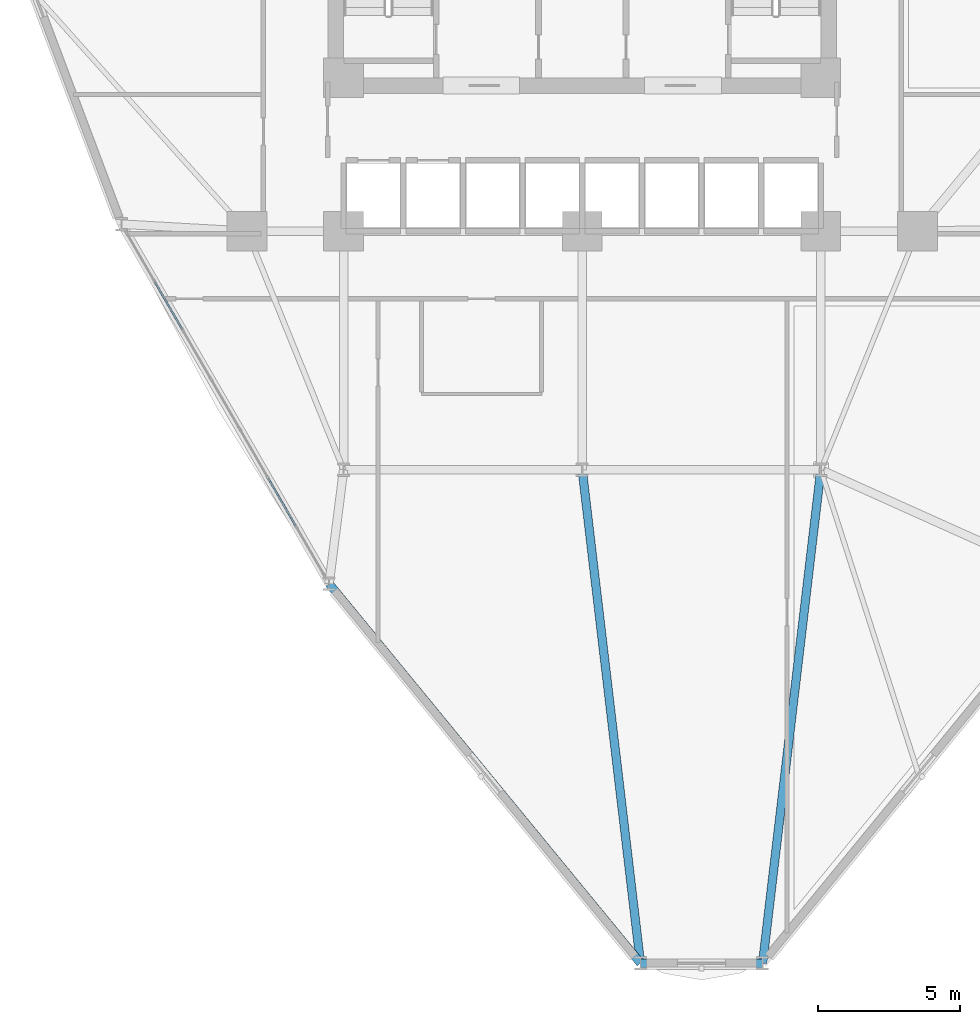
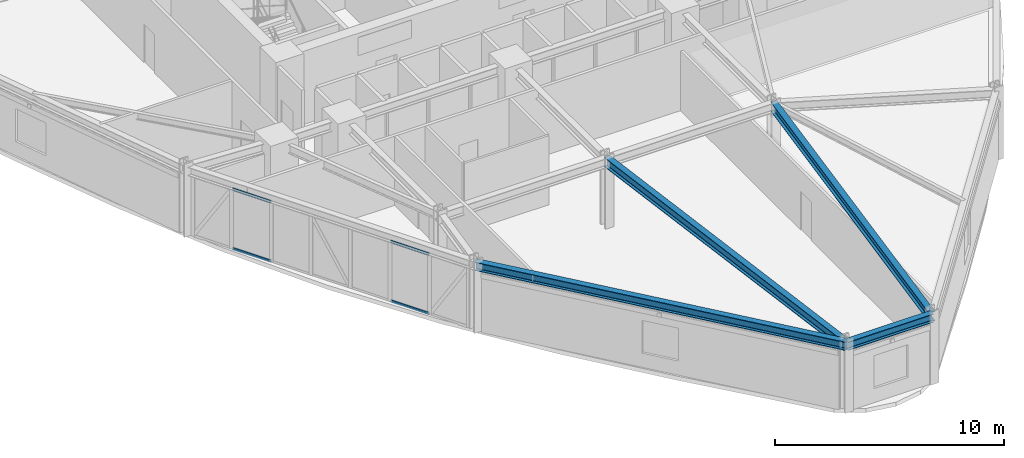
# One storey, part 3 of 20: 4 beams, 4 members, 1 element without a shape of its own.
"""IFC4 building model written with IfcOpenShell, lengths in metres."""

from ifc_helpers import new_model, si_unit, derived_unit, direction, frame, origin, origin_2d, place, context, subcontext, project, spatial, hollow_rectangle, i_section, extrude, source, transform, mapped, material, layer, layer_set, material_profile, profile_set, type_object, element, aggregate, save


model = new_model("IFC4")

# Units and contexts
model_context = context("Model", 3, precision=1e-05, world=origin(), true_north=direction((0.0, 1.0)))
body_context = subcontext(model_context, "Body", "Model", "MODEL_VIEW")
ifc_project = project(units=[si_unit("LENGTHUNIT", "METRE"), si_unit("AREAUNIT", "SQUARE_METRE"), si_unit("VOLUMEUNIT", "CUBIC_METRE"), si_unit("PLANEANGLEUNIT", "RADIAN"), si_unit("MASSUNIT", "GRAM", prefix="KILO"), derived_unit("THERMALTRANSMITTANCEUNIT", [(si_unit("POWERUNIT", "WATT"), 1), (si_unit("LENGTHUNIT", "METRE"), -2), (si_unit("THERMODYNAMICTEMPERATUREUNIT", "KELVIN"), -1)])], contexts=[model_context])

# Site, building, storey
site_placement = place(None, origin())
site = spatial("IfcSite", under=ifc_project, at=site_placement, CompositionType="ELEMENT")
building_placement = place(site_placement, origin())
building = spatial("IfcBuilding", under=site, at=building_placement, Name="Korsvarv Bourse and Concert Hall", CompositionType="ELEMENT")
storey_placement = place(building_placement, frame((0.0, 0.0, 91.199951171875)))
storey = spatial("IfcBuildingStorey", under=building, at=storey_placement, Name="L22", CompositionType="ELEMENT", Elevation=91.199951171875)

# Beams
ifc_material_1 = material(Name="Steel S355", Category="steel")
ifc_material_profile_1 = material_profile(ifc_material_1, i_section(OverallWidth=0.300048828125, OverallDepth=0.449951171875, WebThickness=0.013916015625, FlangeThickness=0.02587890625, FilletRadius=0.02099609375, at=origin_2d()), Name="HEB 450")
ifc_profile_set_1 = profile_set([ifc_material_profile_1], Name="Steel S355")
beam_type_1 = type_object("IfcBeamType", Name="BM-HEB450", PredefinedType="SPANDREL", material=ifc_profile_set_1)
shared_shape_1 = source(origin(), body_context, "Body", "SweptSolid", [
    extrude(i_section(OverallWidth=0.300048828125, OverallDepth=0.449951171875, WebThickness=0.013916015625, FlangeThickness=0.02587890625, FilletRadius=0.02099609375, at=origin_2d()), origin(), (0.0, 0.0, 1.0), 4.301025390625),
])
beam_1_placement = place(storey_placement, frame((38.049560546875, 6.63623046875, 3.455078125), z_axis=(1.0, 0.0, 0.0), x_axis=(0.0, 1.0, 0.0)))
element("IfcBeam", 1, at=beam_1_placement, inside=storey, type_object=beam_type_1, Name="L22 beam B-08", PredefinedType="SPANDREL", context=body_context, shape_type="MappedRepresentation", body=[
    mapped(shared_shape_1, transform((0.0, 0.0, 0.0), scale=1.0)),
])
shared_shape_2 = source(origin(), body_context, "Body", "SweptSolid", [
    extrude(i_section(OverallWidth=0.300048828125, OverallDepth=0.449951171875, WebThickness=0.013916015625, FlangeThickness=0.02587890625, FilletRadius=0.02099609375, at=origin_2d()), origin(), (0.0, 0.0, 1.0), 17.276123046875),
])
beam_2_placement = place(storey_placement, frame((27.090087890625, 19.9912109375, 3.455078125), z_axis=(0.634369882893, -0.773029657697, 0.0), x_axis=(0.773029657697, 0.634369882893, 0.0)))
element("IfcBeam", 2, at=beam_2_placement, inside=storey, type_object=beam_type_1, Name="L22 beam B-08", PredefinedType="SPANDREL", context=body_context, shape_type="MappedRepresentation", body=[
    mapped(shared_shape_2, transform((0.0, 0.0, 0.0), scale=1.0)),
])
ifc_material_profile_2 = material_profile(ifc_material_1, i_section(OverallWidth=0.300048828125, OverallDepth=0.5, WebThickness=0.014404296875, FlangeThickness=0.028076171875, FilletRadius=0.02392578125, at=origin_2d()), Name="HEB 500")
ifc_profile_set_2 = profile_set([ifc_material_profile_2], Name="Steel S355")
beam_type_2 = type_object("IfcBeamType", Name="BM-HEB500", PredefinedType="BEAM", material=ifc_profile_set_2)
shared_shape_3 = source(origin(), body_context, "Body", "SweptSolid", [
    extrude(i_section(OverallWidth=0.300048828125, OverallDepth=0.5, WebThickness=0.014404296875, FlangeThickness=0.028076171875, FilletRadius=0.02392578125, at=origin_2d()), origin(), (0.0, 0.0, 1.0), 17.484375),
])
for number, where, z_axis, x_axis, name in (
    (3, (38.049560546875, 6.63623046875, 3.429931640625), (-0.117222826052, 0.993105638415, 0.0), (-0.993105638415, -0.117222826052, 0.0), "L22 beam B-07"),
    (4, (42.3505859375, 6.63623046875, 3.429931640625), (0.117209054483, 0.993107263868, 0.0), (-0.993107263868, 0.117209054483, 0.0), "L22 beam B-07"),
):
    element("IfcBeam", number, at=place(storey_placement, frame(where, z_axis=z_axis, x_axis=x_axis)), inside=storey, type_object=beam_type_2, Name=name, PredefinedType="BEAM", context=body_context, shape_type="MappedRepresentation", body=[
        mapped(shared_shape_3, transform((0.0, 0.0, 0.0), scale=1.0)),
    ])

# Curtain wall, members
ifc_material_2 = material(Name="Anodised aluminium and triple low-E glazing", Category="glass")
ifc_layer = layer(ifc_material_2, 0.219970703125)
ifc_layer_set = layer_set([ifc_layer], Name="Anodised aluminium and triple low-E glazing")
curtain_wall_type = type_object("IfcCurtainWallType", Name="CW-SYS-1", PredefinedType="NOTDEFINED", material=ifc_layer_set)
curtain_wall_placement = place(storey_placement, origin())
curtain_wall = element("IfcCurtainWall", 5, at=curtain_wall_placement, inside=storey, type_object=curtain_wall_type, Name="L22 CW1 curtain wall CW-L22-F07", PredefinedType="NOTDEFINED")
ifc_material_3 = material(Name="Extruded aluminium EN AW-6063 T66", Category="aluminium")
ifc_material_profile_3 = material_profile(ifc_material_3, hollow_rectangle(XDim=0.06494140625, YDim=0.139892578125, WallThickness=0.00390625, at=origin_2d()), Name="ALU-T 65x140")
ifc_profile_set_3 = profile_set([ifc_material_profile_3], Name="Extruded aluminium EN AW-6063 T66")
member_type = type_object("IfcMemberType", Name="CWT-140", PredefinedType="USERDEFINED", material=ifc_profile_set_3)
shared_shape_4 = source(origin(), body_context, "Body", "SweptSolid", [
    extrude(hollow_rectangle(XDim=0.06494140625, YDim=0.139892578125, WallThickness=0.00390625, at=origin_2d()), origin(), (0.0, 0.0, 1.0), 1.923583984375),
])
member_1_placement = place(storey_placement, frame((20.961181640625, 30.607177734375, 0.032470703125), z_axis=(0.499920208923, -0.866071466283, 0.0), x_axis=(0.866071466283, 0.499920208923, 0.0)))
member_1 = element("IfcMember", 6, at=member_1_placement, type_object=member_type, Name="CW1 transom 2.1", ObjectType="TRANSOM", PredefinedType="USERDEFINED", context=body_context, shape_type="MappedRepresentation", body=[
    mapped(shared_shape_4, transform((0.0, 0.0, 0.0), scale=1.0)),
])
member_2_placement = place(storey_placement, frame((20.961181640625, 30.607177734375, 3.197509765625), z_axis=(0.499920208923, -0.866071466283, 0.0), x_axis=(0.866071466283, 0.499920208923, 0.0)))
member_2 = element("IfcMember", 7, at=member_2_placement, type_object=member_type, Name="CW1 transom 2.2", ObjectType="TRANSOM", PredefinedType="USERDEFINED", context=body_context, shape_type="MappedRepresentation", body=[
    mapped(shared_shape_4, transform((0.0, 0.0, 0.0), scale=1.0)),
])
member_3_placement = place(storey_placement, frame((24.9482421875, 23.700927734375, 0.032470703125), z_axis=(0.500070355328, -0.865984780306, 0.0), x_axis=(0.865984780306, 0.500070355328, 0.0)))
member_3 = element("IfcMember", 8, at=member_3_placement, type_object=member_type, Name="CW1 transom 6.1", ObjectType="TRANSOM", PredefinedType="USERDEFINED", context=body_context, shape_type="MappedRepresentation", body=[
    mapped(shared_shape_4, transform((0.0, 0.0, 0.0), scale=1.0)),
])
member_4_placement = place(storey_placement, frame((24.9482421875, 23.700927734375, 3.197509765625), z_axis=(0.500070355328, -0.865984780306, 0.0), x_axis=(0.865984780306, 0.500070355328, 0.0)))
member_4 = element("IfcMember", 9, at=member_4_placement, type_object=member_type, Name="CW1 transom 6.2", ObjectType="TRANSOM", PredefinedType="USERDEFINED", context=body_context, shape_type="MappedRepresentation", body=[
    mapped(shared_shape_4, transform((0.0, 0.0, 0.0), scale=1.0)),
])
aggregate(curtain_wall, [member_1, member_2, member_3, member_4])

save(model, "model.ifc")
